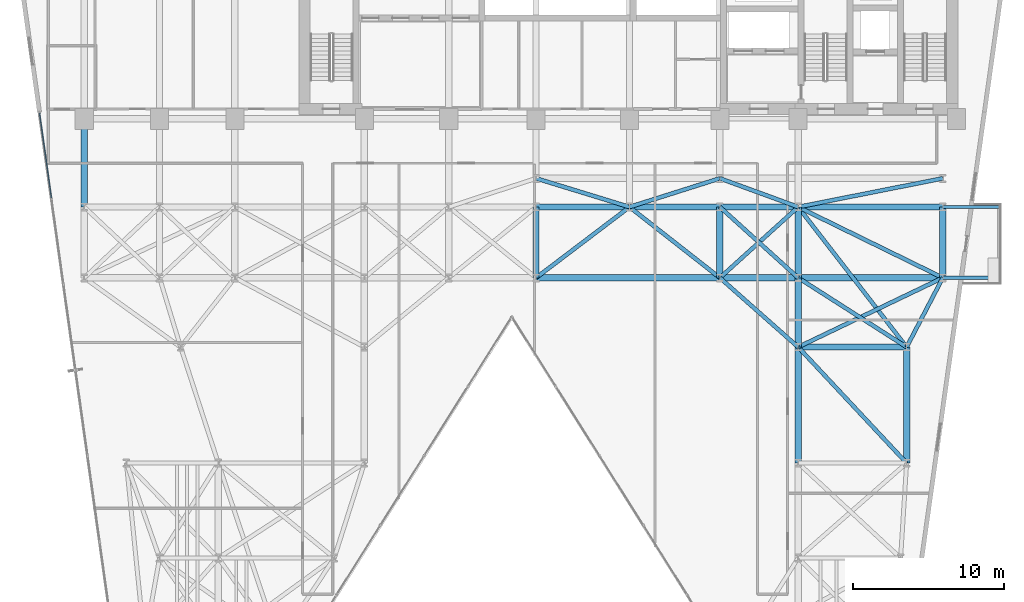
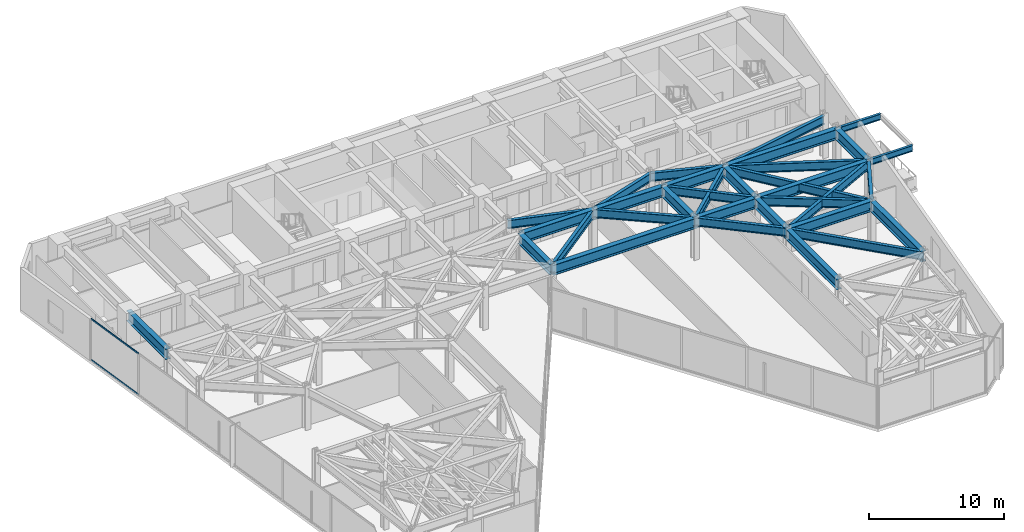
# One storey, part 16 of 25: 33 beams, 2 members, 1 element without a shape of its own.
"""IFC4 building model written with IfcOpenShell, lengths in metres."""

from ifc_helpers import new_model, si_unit, direction, frame, origin, origin_2d, place, context, subcontext, project, spatial, hollow_rectangle, i_section, extrude, material, layer, layer_set, material_profile, profile_set, type_object, element, aggregate, save


model = new_model("IFC4")

# Units and contexts
model_context = context("Model", 3, precision=1e-05, world=origin(), true_north=direction((0.0, 1.0)))
body_context = subcontext(model_context, "Body", "Model", "MODEL_VIEW")
ifc_project = project(units=[si_unit("LENGTHUNIT", "METRE"), si_unit("AREAUNIT", "SQUARE_METRE"), si_unit("VOLUMEUNIT", "CUBIC_METRE"), si_unit("PLANEANGLEUNIT", "RADIAN"), si_unit("MASSUNIT", "GRAM", prefix="KILO")], contexts=[model_context])

# Site, building, storey
site_placement = place(None, origin())
site = spatial("IfcSite", under=ifc_project, at=site_placement, CompositionType="ELEMENT")
building_placement = place(site_placement, origin())
building = spatial("IfcBuilding", under=site, at=building_placement, Name="Kravanh Interchange Tower", CompositionType="ELEMENT")
storey_placement = place(building_placement, frame((0.0, 0.0, 49.5)))
storey = spatial("IfcBuildingStorey", under=building, at=storey_placement, Name="L11", CompositionType="ELEMENT", Elevation=49.5)

# Curtain wall, members
ifc_material_1 = material(Name="Anodised Bronze Aluminium", Category="aluminium")
ifc_layer = layer(ifc_material_1, 0.179931640625)
ifc_layer_set = layer_set([ifc_layer], Name="Unitised Curtain Wall System CW-Z1 Lower Office")
curtain_wall_type = type_object("IfcCurtainWallType", Name="Unitised Curtain Wall System CW-Z1 Lower Office", PredefinedType="NOTDEFINED", material=ifc_layer_set)
curtain_wall_placement = place(storey_placement, origin())
curtain_wall = element("IfcCurtainWall", 1, at=curtain_wall_placement, inside=storey, type_object=curtain_wall_type, Name="L11 Unitised Curtain Wall CW-L11-01", PredefinedType="NOTDEFINED")
ifc_material_2 = material(Name="Anodised Bronze Aluminium", Category="aluminium")
ifc_material_profile_1 = material_profile(ifc_material_2, hollow_rectangle(XDim=0.06005859375, YDim=0.139892578125, WallThickness=0.00390625, at=origin_2d()), Name="ALU60X140X4")
ifc_profile_set_1 = profile_set([ifc_material_profile_1], Name="Anodised Bronze Aluminium")
member_type = type_object("IfcMemberType", Name="Curtain Wall Transom ALU60X140X4 Bronze", PredefinedType="USERDEFINED", material=ifc_profile_set_1)
member_1_placement = place(storey_placement, frame((6.422607421875, 32.1240234375, 0.030029296875), z_axis=(-0.139193386559, 0.990265217575, 0.0), x_axis=(-0.990265217575, -0.139193386559, 0.0)))
member_1 = element("IfcMember", 2, at=member_1_placement, type_object=member_type, Name="CW-Z1 transom 6.1", ObjectType="TRANSOM", PredefinedType="USERDEFINED", context=body_context, shape_type="SweptSolid", body=[
    extrude(hollow_rectangle(XDim=0.06005859375, YDim=0.139892578125, WallThickness=0.00390625, at=origin_2d()), origin(), (0.0, 0.0, 1.0), 5.661865234375),
])
member_2_placement = place(storey_placement, frame((6.422607421875, 32.1240234375, 3.7099609375), z_axis=(-0.139193386559, 0.990265217575, 0.0), x_axis=(-0.990265217575, -0.139193386559, 0.0)))
member_2 = element("IfcMember", 3, at=member_2_placement, type_object=member_type, Name="CW-Z1 transom 6.2", ObjectType="TRANSOM", PredefinedType="USERDEFINED", context=body_context, shape_type="SweptSolid", body=[
    extrude(hollow_rectangle(XDim=0.06005859375, YDim=0.139892578125, WallThickness=0.00390625, at=origin_2d()), origin(), (0.0, 0.0, 1.0), 5.661865234375),
])
aggregate(curtain_wall, [member_1, member_2])

# Beams
ifc_material_3 = material(Name="Structural Steel S355", Category="steel")
ifc_material_profile_2 = material_profile(ifc_material_3, i_section(OverallWidth=0.41796875, OverallDepth=0.927001953125, WebThickness=0.019287109375, FlangeThickness=0.031982421875, FilletRadius=0.028076171875, at=origin_2d()), Name="W36X231")
ifc_profile_set_2 = profile_set([ifc_material_profile_2], Name="Structural Steel S355")
beam_type_1 = type_object("IfcBeamType", Name="Floor Beam W36X231 Structural Steel S355", PredefinedType="BEAM", material=ifc_profile_set_2)
beam_1_placement = place(storey_placement, frame((8.60009765625, 37.35009765625, 3.276611328125), z_axis=(0.0, -1.0, 0.0), x_axis=(1.0, 0.0, 0.0)))
element("IfcBeam", 4, at=beam_1_placement, inside=storey, type_object=beam_type_1, Name="L11 Primary Floor Girder 36", PredefinedType="BEAM", context=body_context, shape_type="SweptSolid", body=[
    extrude(i_section(OverallWidth=0.41796875, OverallDepth=0.927001953125, WebThickness=0.019287109375, FlangeThickness=0.031982421875, FilletRadius=0.028076171875, at=origin_2d()), origin(), (0.0, 0.0, 1.0), 5.85009765625),
])
for number, where, z_axis, x_axis, name in (
    (5, (56.0, 14.5, 3.276611328125), (0.0, 1.0, 0.0), (-1.0, 0.0, 0.0), "L11 Primary Floor Girder 44"),
    (6, (63.199951171875, 14.5, 3.276611328125), (0.0, 1.0, 0.0), (-1.0, 0.0, 0.0), "L11 Primary Floor Girder 47"),
):
    element("IfcBeam", number, at=place(storey_placement, frame(where, z_axis=z_axis, x_axis=x_axis)), inside=storey, type_object=beam_type_1, Name=name, PredefinedType="BEAM", context=body_context, shape_type="SweptSolid", body=[
        extrude(i_section(OverallWidth=0.41796875, OverallDepth=0.927001953125, WebThickness=0.019287109375, FlangeThickness=0.031982421875, FilletRadius=0.028076171875, at=origin_2d()), origin(), (0.0, 0.0, 1.0), 7.699951171875),
    ])
beam_2_placement = place(storey_placement, frame((56.0, 22.199951171875, 3.276611328125), z_axis=(0.0, 1.0, 0.0), x_axis=(-1.0, 0.0, 0.0)))
element("IfcBeam", 7, at=beam_2_placement, inside=storey, type_object=beam_type_1, Name="L11 Primary Floor Girder 58", PredefinedType="BEAM", context=body_context, shape_type="SweptSolid", body=[
    extrude(i_section(OverallWidth=0.41796875, OverallDepth=0.927001953125, WebThickness=0.019287109375, FlangeThickness=0.031982421875, FilletRadius=0.028076171875, at=origin_2d()), origin(), (0.0, 0.0, 1.0), 4.60009765625),
])
beam_3_placement = place(storey_placement, frame((56.0, 22.199951171875, 3.276611328125), z_axis=(1.0, 0.0, 0.0), x_axis=(0.0, 1.0, 0.0)))
element("IfcBeam", 8, at=beam_3_placement, inside=storey, type_object=beam_type_1, Name="L11 Primary Floor Girder 60", PredefinedType="BEAM", context=body_context, shape_type="SweptSolid", body=[
    extrude(i_section(OverallWidth=0.41796875, OverallDepth=0.927001953125, WebThickness=0.019287109375, FlangeThickness=0.031982421875, FilletRadius=0.028076171875, at=origin_2d()), origin(), (0.0, 0.0, 1.0), 7.199951171875),
])
beam_4_placement = place(storey_placement, frame((38.60009765625, 26.800048828125, 3.276611328125), z_axis=(0.0, 1.0, 0.0), x_axis=(-1.0, 0.0, 0.0)))
element("IfcBeam", 9, at=beam_4_placement, inside=storey, type_object=beam_type_1, Name="L11 Primary Floor Girder 86", PredefinedType="BEAM", context=body_context, shape_type="SweptSolid", body=[
    extrude(i_section(OverallWidth=0.41796875, OverallDepth=0.927001953125, WebThickness=0.019287109375, FlangeThickness=0.031982421875, FilletRadius=0.028076171875, at=origin_2d()), origin(), (0.0, 0.0, 1.0), 4.699951171875),
])
beam_5_placement = place(storey_placement, frame((38.60009765625, 26.800048828125, 3.276611328125), z_axis=(1.0, 0.0, 0.0), x_axis=(0.0, 1.0, 0.0)))
element("IfcBeam", 10, at=beam_5_placement, inside=storey, type_object=beam_type_1, Name="L11 Primary Floor Girder 89", PredefinedType="BEAM", context=body_context, shape_type="SweptSolid", body=[
    extrude(i_section(OverallWidth=0.41796875, OverallDepth=0.927001953125, WebThickness=0.019287109375, FlangeThickness=0.031982421875, FilletRadius=0.028076171875, at=origin_2d()), origin(), (0.0, 0.0, 1.0), 12.199951171875),
])
beam_6_placement = place(storey_placement, frame((50.800048828125, 26.800048828125, 3.276611328125), z_axis=(0.0, 1.0, 0.0), x_axis=(-1.0, 0.0, 0.0)))
element("IfcBeam", 11, at=beam_6_placement, inside=storey, type_object=beam_type_1, Name="L11 Primary Floor Girder 90", PredefinedType="BEAM", context=body_context, shape_type="SweptSolid", body=[
    extrude(i_section(OverallWidth=0.41796875, OverallDepth=0.927001953125, WebThickness=0.019287109375, FlangeThickness=0.031982421875, FilletRadius=0.028076171875, at=origin_2d()), origin(), (0.0, 0.0, 1.0), 4.699951171875),
])
beam_7_placement = place(storey_placement, frame((50.800048828125, 26.800048828125, 3.276611328125), z_axis=(1.0, 0.0, 0.0), x_axis=(0.0, 1.0, 0.0)))
element("IfcBeam", 12, at=beam_7_placement, inside=storey, type_object=beam_type_1, Name="L11 Primary Floor Girder 91", PredefinedType="BEAM", context=body_context, shape_type="SweptSolid", body=[
    extrude(i_section(OverallWidth=0.41796875, OverallDepth=0.927001953125, WebThickness=0.019287109375, FlangeThickness=0.031982421875, FilletRadius=0.028076171875, at=origin_2d()), origin(), (0.0, 0.0, 1.0), 5.199951171875),
])
beam_8_placement = place(storey_placement, frame((56.0, 26.800048828125, 3.276611328125), z_axis=(0.0, 1.0, 0.0), x_axis=(-1.0, 0.0, 0.0)))
element("IfcBeam", 13, at=beam_8_placement, inside=storey, type_object=beam_type_1, Name="L11 Primary Floor Girder 94", PredefinedType="BEAM", context=body_context, shape_type="SweptSolid", body=[
    extrude(i_section(OverallWidth=0.41796875, OverallDepth=0.927001953125, WebThickness=0.019287109375, FlangeThickness=0.031982421875, FilletRadius=0.028076171875, at=origin_2d()), origin(), (0.0, 0.0, 1.0), 4.699951171875),
])
beam_9_placement = place(storey_placement, frame((56.0, 26.800048828125, 3.276611328125), z_axis=(1.0, 0.0, 0.0), x_axis=(0.0, 1.0, 0.0)))
element("IfcBeam", 14, at=beam_9_placement, inside=storey, type_object=beam_type_1, Name="L11 Primary Floor Girder 97", PredefinedType="BEAM", context=body_context, shape_type="SweptSolid", body=[
    extrude(i_section(OverallWidth=0.41796875, OverallDepth=0.927001953125, WebThickness=0.019287109375, FlangeThickness=0.031982421875, FilletRadius=0.028076171875, at=origin_2d()), origin(), (0.0, 0.0, 1.0), 9.60009765625),
])
beam_10_placement = place(storey_placement, frame((65.60009765625, 26.800048828125, 3.276611328125), z_axis=(0.0, 1.0, 0.0), x_axis=(-1.0, 0.0, 0.0)))
element("IfcBeam", 15, at=beam_10_placement, inside=storey, type_object=beam_type_1, Name="L11 Primary Floor Girder 98", PredefinedType="BEAM", context=body_context, shape_type="SweptSolid", body=[
    extrude(i_section(OverallWidth=0.41796875, OverallDepth=0.927001953125, WebThickness=0.019287109375, FlangeThickness=0.031982421875, FilletRadius=0.028076171875, at=origin_2d()), origin(), (0.0, 0.0, 1.0), 4.699951171875),
])
beam_11_placement = place(storey_placement, frame((38.60009765625, 31.5, 3.276611328125), z_axis=(1.0, 0.0, 0.0), x_axis=(0.0, 1.0, 0.0)))
element("IfcBeam", 16, at=beam_11_placement, inside=storey, type_object=beam_type_1, Name="L11 Primary Floor Girder 111", PredefinedType="BEAM", context=body_context, shape_type="SweptSolid", body=[
    extrude(i_section(OverallWidth=0.41796875, OverallDepth=0.927001953125, WebThickness=0.019287109375, FlangeThickness=0.031982421875, FilletRadius=0.028076171875, at=origin_2d()), origin(), (0.0, 0.0, 1.0), 6.199951171875),
])
beam_12_placement = place(storey_placement, frame((44.800048828125, 31.5, 3.276611328125), z_axis=(1.0, 0.0, 0.0), x_axis=(0.0, 1.0, 0.0)))
element("IfcBeam", 17, at=beam_12_placement, inside=storey, type_object=beam_type_1, Name="L11 Primary Floor Girder 113", PredefinedType="BEAM", context=body_context, shape_type="SweptSolid", body=[
    extrude(i_section(OverallWidth=0.41796875, OverallDepth=0.927001953125, WebThickness=0.019287109375, FlangeThickness=0.031982421875, FilletRadius=0.028076171875, at=origin_2d()), origin(), (0.0, 0.0, 1.0), 6.0),
])
beam_13_placement = place(storey_placement, frame((50.800048828125, 31.5, 3.276611328125), z_axis=(1.0, 0.0, 0.0), x_axis=(0.0, 1.0, 0.0)))
element("IfcBeam", 18, at=beam_13_placement, inside=storey, type_object=beam_type_1, Name="L11 Primary Floor Girder 116", PredefinedType="BEAM", context=body_context, shape_type="SweptSolid", body=[
    extrude(i_section(OverallWidth=0.41796875, OverallDepth=0.927001953125, WebThickness=0.019287109375, FlangeThickness=0.031982421875, FilletRadius=0.028076171875, at=origin_2d()), origin(), (0.0, 0.0, 1.0), 5.199951171875),
])
beam_14_placement = place(storey_placement, frame((56.0, 31.5, 3.276611328125), z_axis=(1.0, 0.0, 0.0), x_axis=(0.0, 1.0, 0.0)))
element("IfcBeam", 19, at=beam_14_placement, inside=storey, type_object=beam_type_1, Name="L11 Primary Floor Girder 119", PredefinedType="BEAM", context=body_context, shape_type="SweptSolid", body=[
    extrude(i_section(OverallWidth=0.41796875, OverallDepth=0.927001953125, WebThickness=0.019287109375, FlangeThickness=0.031982421875, FilletRadius=0.028076171875, at=origin_2d()), origin(), (0.0, 0.0, 1.0), 9.60009765625),
])
ifc_material_4 = material(Name="Structural Steel S355", Category="steel")
ifc_material_profile_3 = material_profile(ifc_material_4, i_section(OverallWidth=0.2099609375, OverallDepth=0.537109375, WebThickness=0.010986328125, FlangeThickness=0.017333984375, FilletRadius=0.02001953125, at=origin_2d()), Name="W21X68")
ifc_profile_set_3 = profile_set([ifc_material_profile_3], Name="Structural Steel S355")
beam_type_2 = type_object("IfcBeamType", Name="Floor Spandrel W21X68 Structural Steel S355", PredefinedType="SPANDREL", material=ifc_profile_set_3)
for number, where, z_axis, x_axis, name in (
    (20, (65.60009765625, 26.800048828125, 3.471435546875), (1.0, 0.0, 0.0), (0.0, 1.0, 0.0), "L11 Balcony Cantilever Outrigger E1"),
    (21, (65.60009765625, 31.5, 3.471435546875), (1.0, 0.0, 0.0), (0.0, 1.0, 0.0), "L11 Balcony Cantilever Outrigger E2"),
):
    element("IfcBeam", number, at=place(storey_placement, frame(where, z_axis=z_axis, x_axis=x_axis)), inside=storey, type_object=beam_type_2, Name=name, PredefinedType="SPANDREL", context=body_context, shape_type="SweptSolid", body=[
        extrude(i_section(OverallWidth=0.2099609375, OverallDepth=0.537109375, WebThickness=0.010986328125, FlangeThickness=0.017333984375, FilletRadius=0.02001953125, at=origin_2d()), origin(), (0.0, 0.0, 1.0), 3.72998046875),
    ])
ifc_material_5 = material(Name="Structural Steel S355", Category="steel")
ifc_material_profile_4 = material_profile(ifc_material_5, i_section(OverallWidth=0.26708984375, OverallDepth=0.761962890625, WebThickness=0.014404296875, FlangeThickness=0.021484375, FilletRadius=0.02490234375, at=origin_2d()), Name="W30X116")
ifc_profile_set_4 = profile_set([ifc_material_profile_4], Name="Structural Steel S355")
beam_type_3 = type_object("IfcBeamType", Name="Floor Spandrel W30X116 Structural Steel S355", PredefinedType="SPANDREL", material=ifc_profile_set_4)
beam_15_placement = place(storey_placement, frame((63.199951171875, 14.5, 3.35888671875), z_axis=(-0.682993762113, 0.73042420614, 0.0), x_axis=(-0.73042420614, -0.682993762113, 0.0)))
element("IfcBeam", 22, at=beam_15_placement, inside=storey, type_object=beam_type_3, Name="L11 Perimeter Spandrel 49", PredefinedType="SPANDREL", context=body_context, shape_type="SweptSolid", body=[
    extrude(i_section(OverallWidth=0.26708984375, OverallDepth=0.761962890625, WebThickness=0.014404296875, FlangeThickness=0.021484375, FilletRadius=0.02490234375, at=origin_2d()), origin(), (0.0, 0.0, 1.0), 10.541748046875),
])
beam_16_placement = place(storey_placement, frame((56.0, 22.199951171875, 3.35888671875), z_axis=(-0.74898649432, 0.662585263439, 0.0), x_axis=(-0.662585263439, -0.74898649432, 0.0)))
element("IfcBeam", 23, at=beam_16_placement, inside=storey, type_object=beam_type_3, Name="L11 Perimeter Spandrel 59", PredefinedType="SPANDREL", context=body_context, shape_type="SweptSolid", body=[
    extrude(i_section(OverallWidth=0.26708984375, OverallDepth=0.761962890625, WebThickness=0.014404296875, FlangeThickness=0.021484375, FilletRadius=0.02490234375, at=origin_2d()), origin(), (0.0, 0.0, 1.0), 6.942626953125),
])
beam_17_placement = place(storey_placement, frame((56.0, 22.199951171875, 3.35888671875), z_axis=(0.901814166789, 0.432124066188, 0.0), x_axis=(-0.432124066188, 0.901814166789, 0.0)))
element("IfcBeam", 24, at=beam_17_placement, inside=storey, type_object=beam_type_3, Name="L11 Perimeter Spandrel 61", PredefinedType="SPANDREL", context=body_context, shape_type="SweptSolid", body=[
    extrude(i_section(OverallWidth=0.26708984375, OverallDepth=0.761962890625, WebThickness=0.014404296875, FlangeThickness=0.021484375, FilletRadius=0.02490234375, at=origin_2d()), origin(), (0.0, 0.0, 1.0), 10.645263671875),
])
beam_18_placement = place(storey_placement, frame((63.199951171875, 22.199951171875, 3.35888671875), z_axis=(0.462580479178, 0.886577295155, 0.0), x_axis=(-0.886577295155, 0.462580479178, 0.0)))
element("IfcBeam", 25, at=beam_18_placement, inside=storey, type_object=beam_type_3, Name="L11 Perimeter Spandrel 62", PredefinedType="SPANDREL", context=body_context, shape_type="SweptSolid", body=[
    extrude(i_section(OverallWidth=0.26708984375, OverallDepth=0.761962890625, WebThickness=0.014404296875, FlangeThickness=0.021484375, FilletRadius=0.02490234375, at=origin_2d()), origin(), (0.0, 0.0, 1.0), 5.188720703125),
])
beam_19_placement = place(storey_placement, frame((63.199951171875, 22.199951171875, 3.35888671875), z_axis=(-0.842689417531, 0.53839998661, 0.0), x_axis=(-0.53839998661, -0.842689417531, 0.0)))
element("IfcBeam", 26, at=beam_19_placement, inside=storey, type_object=beam_type_3, Name="L11 Perimeter Spandrel 63", PredefinedType="SPANDREL", context=body_context, shape_type="SweptSolid", body=[
    extrude(i_section(OverallWidth=0.26708984375, OverallDepth=0.761962890625, WebThickness=0.014404296875, FlangeThickness=0.021484375, FilletRadius=0.02490234375, at=origin_2d()), origin(), (0.0, 0.0, 1.0), 8.5439453125),
])
beam_20_placement = place(storey_placement, frame((63.199951171875, 22.199951171875, 3.35888671875), z_axis=(-0.612168587637, 0.790727273028, 0.0), x_axis=(-0.790727273028, -0.612168587637, 0.0)))
element("IfcBeam", 27, at=beam_20_placement, inside=storey, type_object=beam_type_3, Name="L11 Perimeter Spandrel 65", PredefinedType="SPANDREL", context=body_context, shape_type="SweptSolid", body=[
    extrude(i_section(OverallWidth=0.26708984375, OverallDepth=0.761962890625, WebThickness=0.014404296875, FlangeThickness=0.021484375, FilletRadius=0.02490234375, at=origin_2d()), origin(), (0.0, 0.0, 1.0), 11.761474609375),
])
beam_21_placement = place(storey_placement, frame((38.60009765625, 26.800048828125, 3.35888671875), z_axis=(0.796905365509, 0.604104161898, 0.0), x_axis=(-0.604104161898, 0.796905365509, 0.0)))
element("IfcBeam", 28, at=beam_21_placement, inside=storey, type_object=beam_type_3, Name="L11 Perimeter Spandrel 88", PredefinedType="SPANDREL", context=body_context, shape_type="SweptSolid", body=[
    extrude(i_section(OverallWidth=0.26708984375, OverallDepth=0.761962890625, WebThickness=0.014404296875, FlangeThickness=0.021484375, FilletRadius=0.02490234375, at=origin_2d()), origin(), (0.0, 0.0, 1.0), 7.780029296875),
])
beam_22_placement = place(storey_placement, frame((50.800048828125, 26.800048828125, 3.35888671875), z_axis=(0.741874009795, 0.670539300557, 0.0), x_axis=(-0.670539300557, 0.741874009795, 0.0)))
element("IfcBeam", 29, at=beam_22_placement, inside=storey, type_object=beam_type_3, Name="L11 Perimeter Spandrel 92", PredefinedType="SPANDREL", context=body_context, shape_type="SweptSolid", body=[
    extrude(i_section(OverallWidth=0.26708984375, OverallDepth=0.761962890625, WebThickness=0.014404296875, FlangeThickness=0.021484375, FilletRadius=0.02490234375, at=origin_2d()), origin(), (0.0, 0.0, 1.0), 7.00927734375),
])
beam_23_placement = place(storey_placement, frame((50.800048828125, 26.800048828125, 3.35888671875), z_axis=(-0.787231163579, 0.616658004967, 0.0), x_axis=(-0.616658004967, -0.787231163579, 0.0)))
element("IfcBeam", 30, at=beam_23_placement, inside=storey, type_object=beam_type_3, Name="L11 Perimeter Spandrel 93", PredefinedType="SPANDREL", context=body_context, shape_type="SweptSolid", body=[
    extrude(i_section(OverallWidth=0.26708984375, OverallDepth=0.761962890625, WebThickness=0.014404296875, FlangeThickness=0.021484375, FilletRadius=0.02490234375, at=origin_2d()), origin(), (0.0, 0.0, 1.0), 7.62158203125),
])
beam_24_placement = place(storey_placement, frame((56.0, 26.800048828125, 3.35888671875), z_axis=(-0.741874009795, 0.670539300557, 0.0), x_axis=(-0.670539300557, -0.741874009795, 0.0)))
element("IfcBeam", 31, at=beam_24_placement, inside=storey, type_object=beam_type_3, Name="L11 Perimeter Spandrel 95", PredefinedType="SPANDREL", context=body_context, shape_type="SweptSolid", body=[
    extrude(i_section(OverallWidth=0.26708984375, OverallDepth=0.761962890625, WebThickness=0.014404296875, FlangeThickness=0.021484375, FilletRadius=0.02490234375, at=origin_2d()), origin(), (0.0, 0.0, 1.0), 7.00927734375),
])
beam_25_placement = place(storey_placement, frame((65.60009765625, 26.800048828125, 3.35888671875), z_axis=(-0.898141688387, 0.439706160499, 0.0), x_axis=(-0.439706160499, -0.898141688387, 0.0)))
element("IfcBeam", 32, at=beam_25_placement, inside=storey, type_object=beam_type_3, Name="L11 Perimeter Spandrel 99", PredefinedType="SPANDREL", context=body_context, shape_type="SweptSolid", body=[
    extrude(i_section(OverallWidth=0.26708984375, OverallDepth=0.761962890625, WebThickness=0.014404296875, FlangeThickness=0.021484375, FilletRadius=0.02490234375, at=origin_2d()), origin(), (0.0, 0.0, 1.0), 10.68896484375),
])
beam_26_placement = place(storey_placement, frame((44.800048828125, 31.5, 3.35888671875), z_axis=(0.953346691051, 0.301877602122, 0.0), x_axis=(-0.301877602122, 0.953346691051, 0.0)))
element("IfcBeam", 33, at=beam_26_placement, inside=storey, type_object=beam_type_3, Name="L11 Perimeter Spandrel 114", PredefinedType="SPANDREL", context=body_context, shape_type="SweptSolid", body=[
    extrude(i_section(OverallWidth=0.26708984375, OverallDepth=0.761962890625, WebThickness=0.014404296875, FlangeThickness=0.021484375, FilletRadius=0.02490234375, at=origin_2d()), origin(), (0.0, 0.0, 1.0), 6.293701171875),
])
beam_27_placement = place(storey_placement, frame((44.800048828125, 31.5, 3.35888671875), z_axis=(-0.956115397264, 0.292990353279, 0.0), x_axis=(-0.292990353279, -0.956115397264, 0.0)))
element("IfcBeam", 34, at=beam_27_placement, inside=storey, type_object=beam_type_3, Name="L11 Perimeter Spandrel 115", PredefinedType="SPANDREL", context=body_context, shape_type="SweptSolid", body=[
    extrude(i_section(OverallWidth=0.26708984375, OverallDepth=0.761962890625, WebThickness=0.014404296875, FlangeThickness=0.021484375, FilletRadius=0.02490234375, at=origin_2d()), origin(), (0.0, 0.0, 1.0), 6.484619140625),
])
beam_28_placement = place(storey_placement, frame((56.0, 31.5, 3.35888671875), z_axis=(-0.93926957103, 0.343180233896, 0.0), x_axis=(-0.343180233896, -0.93926957103, 0.0)))
element("IfcBeam", 35, at=beam_28_placement, inside=storey, type_object=beam_type_3, Name="L11 Perimeter Spandrel 118", PredefinedType="SPANDREL", context=body_context, shape_type="SweptSolid", body=[
    extrude(i_section(OverallWidth=0.26708984375, OverallDepth=0.761962890625, WebThickness=0.014404296875, FlangeThickness=0.021484375, FilletRadius=0.02490234375, at=origin_2d()), origin(), (0.0, 0.0, 1.0), 5.5361328125),
])
beam_29_placement = place(storey_placement, frame((56.0, 31.5, 3.35888671875), z_axis=(0.980974000807, 0.194139150457, 0.0), x_axis=(-0.194139150457, 0.980974000807, 0.0)))
element("IfcBeam", 36, at=beam_29_placement, inside=storey, type_object=beam_type_3, Name="L11 Perimeter Spandrel 120", PredefinedType="SPANDREL", context=body_context, shape_type="SweptSolid", body=[
    extrude(i_section(OverallWidth=0.26708984375, OverallDepth=0.761962890625, WebThickness=0.014404296875, FlangeThickness=0.021484375, FilletRadius=0.02490234375, at=origin_2d()), origin(), (0.0, 0.0, 1.0), 9.786376953125),
])

save(model, "model.ifc")
